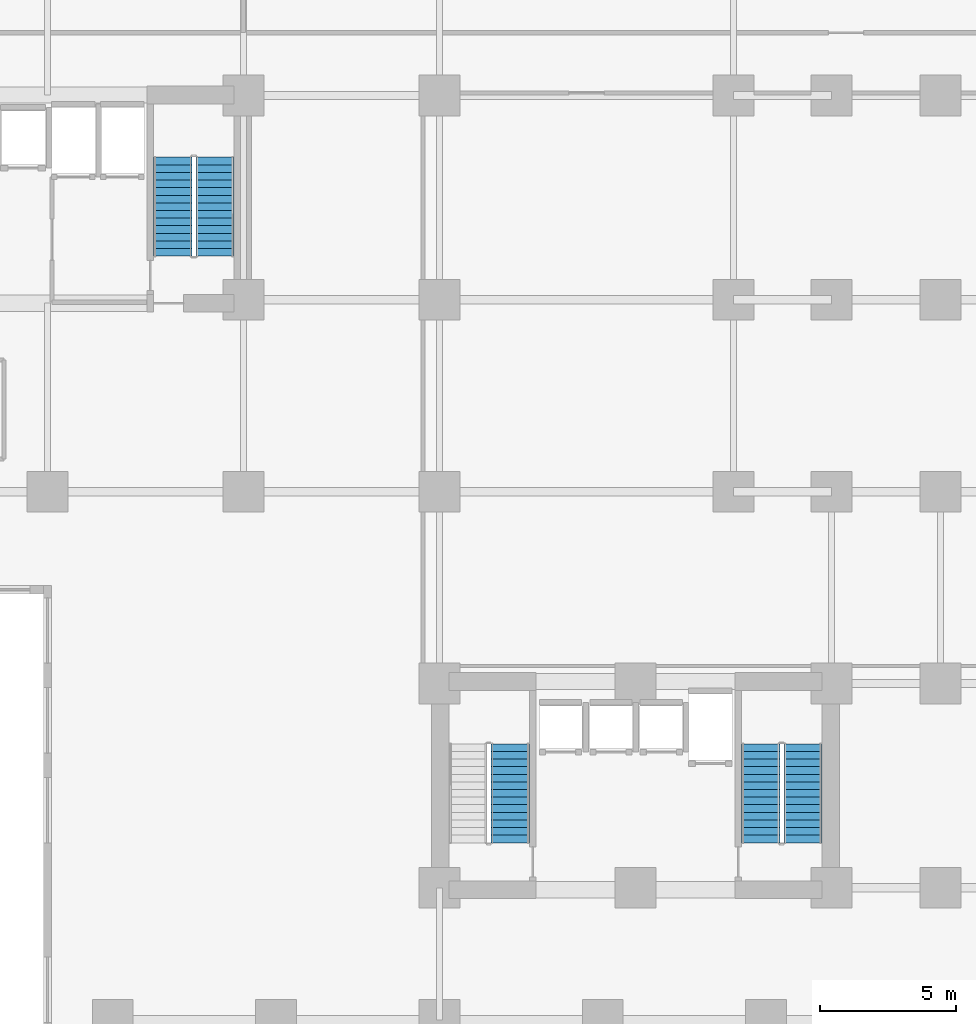
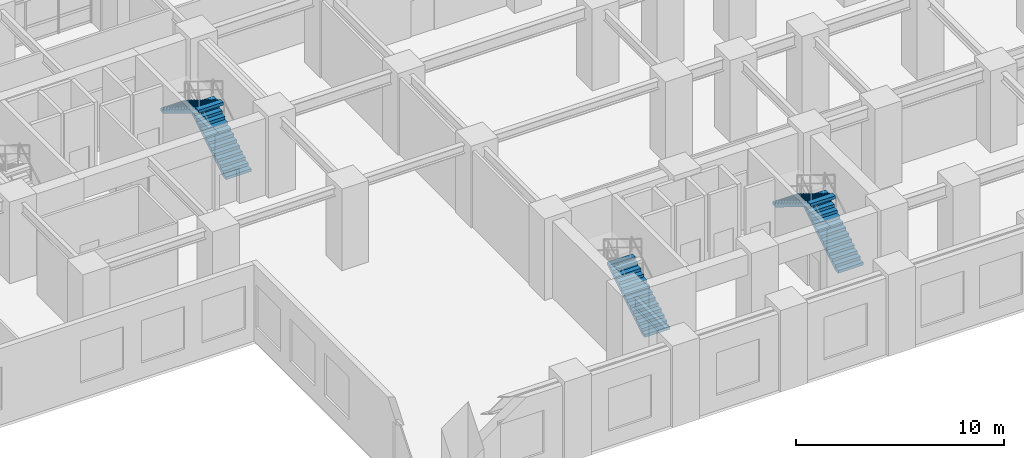
# One storey, part 19 of 22: 5 stair flights, 3 elements without a shape of their own.
"""IFC4 building model written with IfcOpenShell, lengths in metres."""

from ifc_helpers import new_model, si_unit, direction, frame, origin, place, context, subcontext, project, spatial, polyline, outline, extrude, material, type_object, element, aggregate, save


model = new_model("IFC4")

# Units and contexts
model_context = context("Model", 3, precision=1e-05, world=origin(), true_north=direction((0.0, 1.0)))
body_context = subcontext(model_context, "Body", "Model", "MODEL_VIEW")
ifc_project = project(units=[si_unit("LENGTHUNIT", "METRE"), si_unit("AREAUNIT", "SQUARE_METRE"), si_unit("VOLUMEUNIT", "CUBIC_METRE"), si_unit("PLANEANGLEUNIT", "RADIAN"), si_unit("MASSUNIT", "GRAM", prefix="KILO")], contexts=[model_context])

# Site, building, storey
site_placement = place(None, origin())
site = spatial("IfcSite", under=ifc_project, at=site_placement, CompositionType="ELEMENT")
building_placement = place(site_placement, origin())
building = spatial("IfcBuilding", under=site, at=building_placement, Name="Kaliganga Portal Commons", CompositionType="ELEMENT")
storey_placement = place(building_placement, frame((0.0, 0.0, 10.199951171875)))
storey = spatial("IfcBuildingStorey", under=building, at=storey_placement, Name="L02", CompositionType="ELEMENT", Elevation=10.199951171875)

# Stair, stair flights
ifc_material = material(Name="Concrete C40/50", Category="concrete")
stair_type = type_object("IfcStairType", Name="ST-CORE-DOGLEG", PredefinedType="HALF_TURN_STAIR", material=ifc_material)
stair_1_placement = place(storey_placement, origin())
stair_1 = element("IfcStair", 1, at=stair_1_placement, inside=storey, type_object=stair_type, Name="L02 Protected Exit Stair ST-A2", PredefinedType="HALF_TURN_STAIR")
stair_flight_type = type_object("IfcStairFlightType", Name="STF-RC-1400", PredefinedType="STRAIGHT", material=ifc_material)
stair_flight_1_placement = place(storey_placement, frame((27.75, 30.25, 0.0), z_axis=(0.0, 0.0, 1.0), x_axis=(0.0, 1.0, 0.0)))
stair_flight_1 = element("IfcStairFlight", 2, at=stair_flight_1_placement, type_object=stair_flight_type, Name="ST-A2 flight 1", NumberOfRisers=14, NumberOfTreads=13, PredefinedType="STRAIGHT", RiserHeight=0.171428571, TreadLength=0.28, context=body_context, shape_type="SweptSolid", body=[
    extrude(outline(polyline([(0.0, 0.0), (0.0, 0.17138671875), (0.280029296875, 0.17138671875), (0.280029296875, 0.3427734375), (0.56005859375, 0.3427734375), (0.56005859375, 0.514404296875), (0.840087890625, 0.514404296875), (0.840087890625, 0.685791015625), (1.1201171875, 0.685791015625), (1.1201171875, 0.857177734375), (1.39990234375, 0.857177734375), (1.39990234375, 1.028564453125), (1.679931640625, 1.028564453125), (1.679931640625, 1.199951171875), (1.9599609375, 1.199951171875), (1.9599609375, 1.371337890625), (2.239990234375, 1.371337890625), (2.239990234375, 1.54296875), (2.52001953125, 1.54296875), (2.52001953125, 1.71435546875), (2.800048828125, 1.71435546875), (2.800048828125, 1.8857421875), (3.080078125, 1.8857421875), (3.080078125, 2.05712890625), (3.360107421875, 2.05712890625), (3.360107421875, 2.228515625), (3.639892578125, 2.228515625), (3.639892578125, 2.39990234375), (3.639892578125, 2.052734375), (0.287109375, 0.0), (0.0, 0.0)])), frame((0.0, 0.699951171875, 0.0), z_axis=(0.0, -1.0, 0.0), x_axis=(1.0, 0.0, 0.0)), (0.0, 0.0, 1.0), 1.39990234375),
])
stair_flight_2_placement = place(storey_placement, frame((26.199951171875, 33.889892578125, 2.400146484375), z_axis=(0.0, 0.0, 1.0), x_axis=(0.0, -1.0, 0.0)))
stair_flight_2 = element("IfcStairFlight", 3, at=stair_flight_2_placement, type_object=stair_flight_type, Name="ST-A2 flight 2", NumberOfRisers=14, NumberOfTreads=13, PredefinedType="STRAIGHT", RiserHeight=0.171428571, TreadLength=0.28, context=body_context, shape_type="SweptSolid", body=[
    extrude(outline(polyline([(0.0, 0.0), (0.0, 0.17138671875), (0.280029296875, 0.17138671875), (0.280029296875, 0.3427734375), (0.56005859375, 0.3427734375), (0.56005859375, 0.514404296875), (0.840087890625, 0.514404296875), (0.840087890625, 0.685791015625), (1.1201171875, 0.685791015625), (1.1201171875, 0.857177734375), (1.39990234375, 0.857177734375), (1.39990234375, 1.028564453125), (1.679931640625, 1.028564453125), (1.679931640625, 1.199951171875), (1.9599609375, 1.199951171875), (1.9599609375, 1.371337890625), (2.239990234375, 1.371337890625), (2.239990234375, 1.54296875), (2.52001953125, 1.54296875), (2.52001953125, 1.71435546875), (2.800048828125, 1.71435546875), (2.800048828125, 1.8857421875), (3.080078125, 1.8857421875), (3.080078125, 2.05712890625), (3.360107421875, 2.05712890625), (3.360107421875, 2.228515625), (3.639892578125, 2.228515625), (3.639892578125, 2.39990234375), (3.639892578125, 2.052734375), (0.287109375, 0.0), (0.0, 0.0)])), frame((0.0, 0.699951171875, 0.0), z_axis=(0.0, -1.0, 0.0), x_axis=(1.0, 0.0, 0.0)), (0.0, 0.0, 1.0), 1.39990234375),
])
aggregate(stair_1, [stair_flight_1, stair_flight_2])

# Stair, stair flight
stair_2_placement = place(storey_placement, origin())
stair_2 = element("IfcStair", 4, at=stair_2_placement, inside=storey, type_object=stair_type, Name="L02 Protected Exit Stair ST-B1", PredefinedType="HALF_TURN_STAIR")
stair_flight_3_placement = place(storey_placement, frame((38.60009765625, 8.699951171875, 0.0), z_axis=(0.0, 0.0, 1.0), x_axis=(0.0, 1.0, 0.0)))
stair_flight_3 = element("IfcStairFlight", 5, at=stair_flight_3_placement, type_object=stair_flight_type, Name="ST-B1 flight 1", NumberOfRisers=14, NumberOfTreads=13, PredefinedType="STRAIGHT", RiserHeight=0.171428571, TreadLength=0.28, context=body_context, shape_type="SweptSolid", body=[
    extrude(outline(polyline([(0.0, 0.0), (0.0, 0.17138671875), (0.280029296875, 0.17138671875), (0.280029296875, 0.3427734375), (0.56005859375, 0.3427734375), (0.56005859375, 0.514404296875), (0.840087890625, 0.514404296875), (0.840087890625, 0.685791015625), (1.1201171875, 0.685791015625), (1.1201171875, 0.857177734375), (1.39990234375, 0.857177734375), (1.39990234375, 1.028564453125), (1.679931640625, 1.028564453125), (1.679931640625, 1.199951171875), (1.9599609375, 1.199951171875), (1.9599609375, 1.371337890625), (2.239990234375, 1.371337890625), (2.239990234375, 1.54296875), (2.52001953125, 1.54296875), (2.52001953125, 1.71435546875), (2.800048828125, 1.71435546875), (2.800048828125, 1.8857421875), (3.080078125, 1.8857421875), (3.080078125, 2.05712890625), (3.360107421875, 2.05712890625), (3.360107421875, 2.228515625), (3.639892578125, 2.228515625), (3.639892578125, 2.39990234375), (3.639892578125, 2.052734375), (0.287109375, 0.0), (0.0, 0.0)])), frame((0.0, 0.699951171875, 0.0), z_axis=(0.0, -1.0, 0.0), x_axis=(1.0, 0.0, 0.0)), (0.0, 0.0, 1.0), 1.39990234375),
])
aggregate(stair_2, [stair_flight_3])

# Stair, stair flights
stair_3_placement = place(storey_placement, origin())
stair_3 = element("IfcStair", 6, at=stair_3_placement, inside=storey, type_object=stair_type, Name="L02 Protected Exit Stair ST-B2", PredefinedType="HALF_TURN_STAIR")
stair_flight_4_placement = place(storey_placement, frame((49.35009765625, 8.699951171875, 0.0), z_axis=(0.0, 0.0, 1.0), x_axis=(0.0, 1.0, 0.0)))
stair_flight_4 = element("IfcStairFlight", 7, at=stair_flight_4_placement, type_object=stair_flight_type, Name="ST-B2 flight 1", NumberOfRisers=14, NumberOfTreads=13, PredefinedType="STRAIGHT", RiserHeight=0.171428571, TreadLength=0.28, context=body_context, shape_type="SweptSolid", body=[
    extrude(outline(polyline([(0.0, 0.0), (0.0, 0.17138671875), (0.280029296875, 0.17138671875), (0.280029296875, 0.3427734375), (0.56005859375, 0.3427734375), (0.56005859375, 0.514404296875), (0.840087890625, 0.514404296875), (0.840087890625, 0.685791015625), (1.1201171875, 0.685791015625), (1.1201171875, 0.857177734375), (1.39990234375, 0.857177734375), (1.39990234375, 1.028564453125), (1.679931640625, 1.028564453125), (1.679931640625, 1.199951171875), (1.9599609375, 1.199951171875), (1.9599609375, 1.371337890625), (2.239990234375, 1.371337890625), (2.239990234375, 1.54296875), (2.52001953125, 1.54296875), (2.52001953125, 1.71435546875), (2.800048828125, 1.71435546875), (2.800048828125, 1.8857421875), (3.080078125, 1.8857421875), (3.080078125, 2.05712890625), (3.360107421875, 2.05712890625), (3.360107421875, 2.228515625), (3.639892578125, 2.228515625), (3.639892578125, 2.39990234375), (3.639892578125, 2.052734375), (0.287109375, 0.0), (0.0, 0.0)])), frame((0.0, 0.699951171875, 0.0), z_axis=(0.0, -1.0, 0.0), x_axis=(1.0, 0.0, 0.0)), (0.0, 0.0, 1.0), 1.39990234375),
])
stair_flight_5_placement = place(storey_placement, frame((47.800048828125, 12.340087890625, 2.400146484375), z_axis=(0.0, 0.0, 1.0), x_axis=(0.0, -1.0, 0.0)))
stair_flight_5 = element("IfcStairFlight", 8, at=stair_flight_5_placement, type_object=stair_flight_type, Name="ST-B2 flight 2", NumberOfRisers=14, NumberOfTreads=13, PredefinedType="STRAIGHT", RiserHeight=0.171428571, TreadLength=0.28, context=body_context, shape_type="SweptSolid", body=[
    extrude(outline(polyline([(0.0, 0.0), (0.0, 0.17138671875), (0.280029296875, 0.17138671875), (0.280029296875, 0.3427734375), (0.56005859375, 0.3427734375), (0.56005859375, 0.514404296875), (0.840087890625, 0.514404296875), (0.840087890625, 0.685791015625), (1.1201171875, 0.685791015625), (1.1201171875, 0.857177734375), (1.39990234375, 0.857177734375), (1.39990234375, 1.028564453125), (1.679931640625, 1.028564453125), (1.679931640625, 1.199951171875), (1.9599609375, 1.199951171875), (1.9599609375, 1.371337890625), (2.239990234375, 1.371337890625), (2.239990234375, 1.54296875), (2.52001953125, 1.54296875), (2.52001953125, 1.71435546875), (2.800048828125, 1.71435546875), (2.800048828125, 1.8857421875), (3.080078125, 1.8857421875), (3.080078125, 2.05712890625), (3.360107421875, 2.05712890625), (3.360107421875, 2.228515625), (3.639892578125, 2.228515625), (3.639892578125, 2.39990234375), (3.639892578125, 2.052734375), (0.287109375, 0.0), (0.0, 0.0)])), frame((0.0, 0.699951171875, 0.0), z_axis=(0.0, -1.0, 0.0), x_axis=(1.0, 0.0, 0.0)), (0.0, 0.0, 1.0), 1.39990234375),
])
aggregate(stair_3, [stair_flight_4, stair_flight_5])

save(model, "model.ifc")
